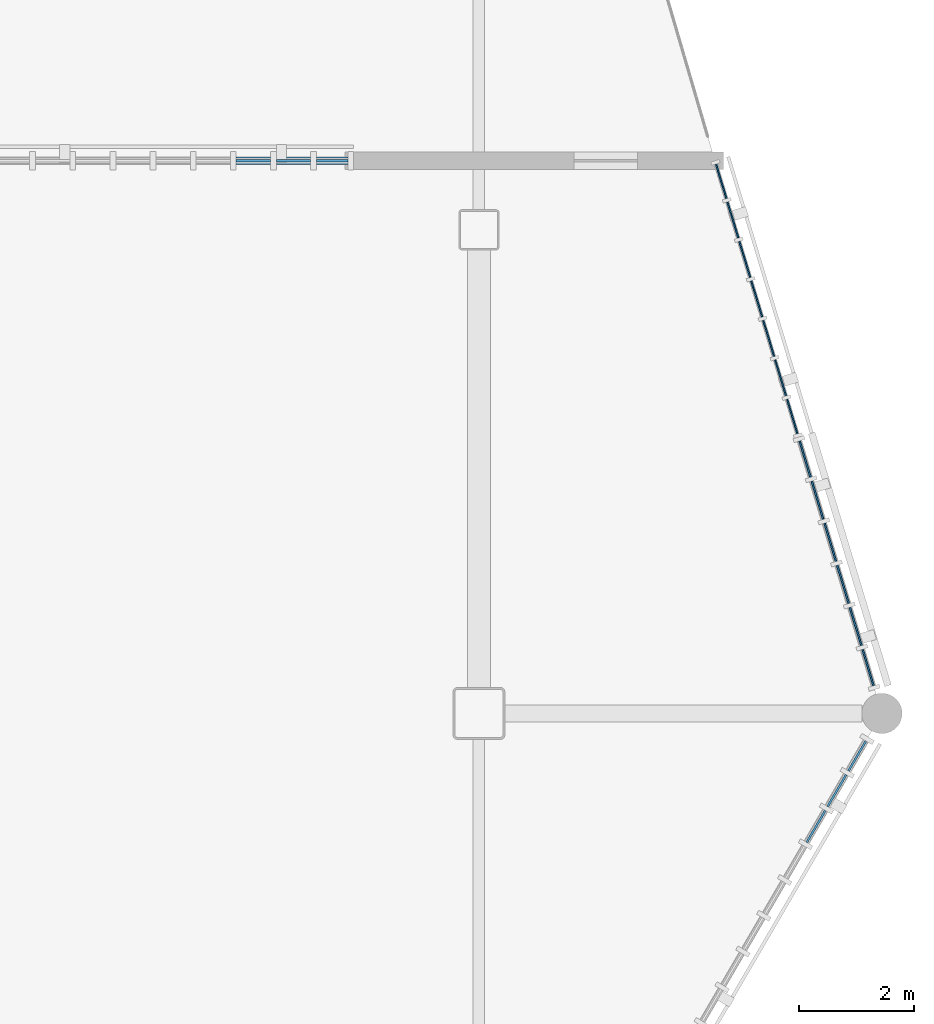
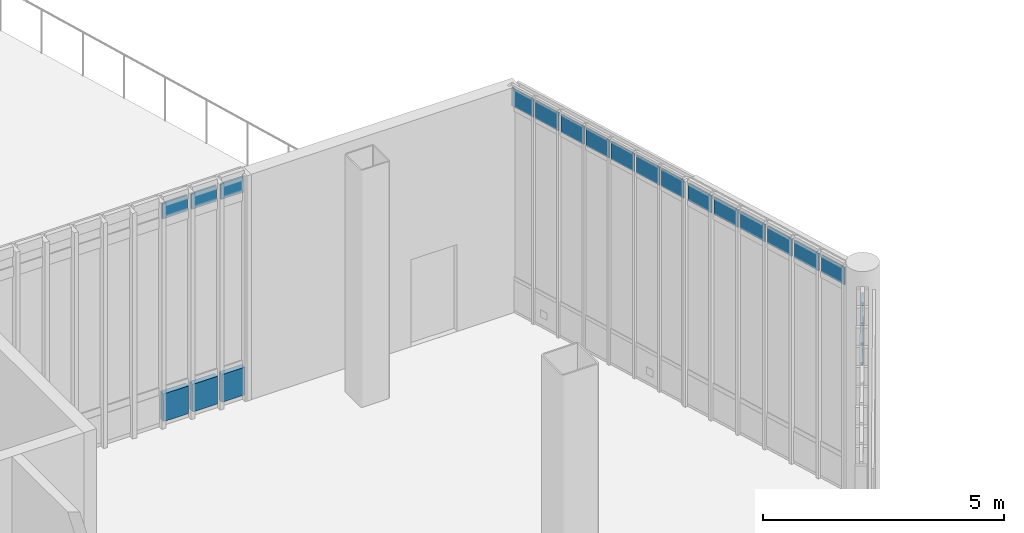
# One storey, part 105 of 135: 22 plates, 4 elements without a shape of their own.
"""IFC4 building model written with IfcOpenShell, lengths in metres."""

from ifc_helpers import new_model, si_unit, direction, frame, origin, origin_2d, place, context, subcontext, project, spatial, rectangle, extrude, material, layer, layer_set, type_object, element, aggregate, save


model = new_model("IFC4")

# Units and contexts
model_context = context("Model", 3, precision=1e-05, world=origin(), true_north=direction((0.0, 1.0)))
body_context = subcontext(model_context, "Body", "Model", "MODEL_VIEW")
ifc_project = project(units=[si_unit("LENGTHUNIT", "METRE"), si_unit("AREAUNIT", "SQUARE_METRE"), si_unit("VOLUMEUNIT", "CUBIC_METRE"), si_unit("PLANEANGLEUNIT", "RADIAN"), si_unit("MASSUNIT", "GRAM", prefix="KILO")], contexts=[model_context])

# Site, building, storey
site_placement = place(None, origin())
site = spatial("IfcSite", under=ifc_project, at=site_placement, CompositionType="ELEMENT")
building_placement = place(site_placement, origin())
building = spatial("IfcBuilding", under=site, at=building_placement, Name="Larkvane Passage Sports Hall", CompositionType="ELEMENT")
storey_placement = place(building_placement, frame((0.0, 0.0, 10.800048828125)))
storey = spatial("IfcBuildingStorey", under=building, at=storey_placement, Name="L02", CompositionType="ELEMENT", Elevation=10.800048828125)

# Curtain wall, plates
ifc_material_1 = material(Name="Thermally broken aluminium and low-E glazing", Category="aluminium")
curtain_wall_type_1 = type_object("IfcCurtainWallType", Name="CW-CLINIC", PredefinedType="USERDEFINED", material=ifc_material_1)
curtain_wall_1_placement = place(storey_placement, origin())
curtain_wall_1 = element("IfcCurtainWall", 1, at=curtain_wall_1_placement, inside=storey, type_object=curtain_wall_type_1, Name="Curtain wall CW5-L02-067", ObjectType="UNITISED CURTAIN WALL", PredefinedType="USERDEFINED")
ifc_material_2 = material(Name="Deep insulated facade spandrel panel")
ifc_layer_1 = layer(ifc_material_2, 0.125)
ifc_layer_set_1 = layer_set([ifc_layer_1], Name="Deep insulated facade spandrel panel")
plate_type_1 = type_object("IfcPlateType", Name="CWP-SPD-125", PredefinedType="CURTAIN_PANEL", material=ifc_layer_set_1)
plate_1_placement = place(storey_placement, frame((141.681884765625, 85.199951171875, 0.10009765625), z_axis=(0.0, 0.0, 1.0), x_axis=(1.0, 0.0, 0.0)))
plate_1 = element("IfcPlate", 2, at=plate_1_placement, type_object=plate_type_1, Name="CW-05 panel 7.1", PredefinedType="CURTAIN_PANEL", context=body_context, shape_type="SweptSolid", body=[
    extrude(rectangle(XDim=0.59716796875, YDim=0.125, at=origin_2d()), origin(), (0.0, 0.0, 1.0), 0.699951171875),
])
plate_2_placement = place(storey_placement, frame((142.379150390625, 85.199951171875, 0.10009765625), z_axis=(0.0, 0.0, 1.0), x_axis=(1.0, 0.0, 0.0)))
plate_2 = element("IfcPlate", 3, at=plate_2_placement, type_object=plate_type_1, Name="CW-05 panel 8.1", PredefinedType="CURTAIN_PANEL", context=body_context, shape_type="SweptSolid", body=[
    extrude(rectangle(XDim=0.59716796875, YDim=0.125, at=origin_2d()), origin(), (0.0, 0.0, 1.0), 0.699951171875),
])
plate_3_placement = place(storey_placement, frame((143.05126953125, 85.199951171875, 0.10009765625), z_axis=(0.0, 0.0, 1.0), x_axis=(1.0, 0.0, 0.0)))
plate_3 = element("IfcPlate", 4, at=plate_3_placement, type_object=plate_type_1, Name="CW-05 panel 9.1", PredefinedType="CURTAIN_PANEL", context=body_context, shape_type="SweptSolid", body=[
    extrude(rectangle(XDim=0.547119140625, YDim=0.125, at=origin_2d()), origin(), (0.0, 0.0, 1.0), 0.699951171875),
])

curtain_wall_type_2 = type_object("IfcCurtainWallType", Name="CW-UNIT-COURT", PredefinedType="USERDEFINED", material=ifc_material_1)
curtain_wall_2_placement = place(storey_placement, origin())
curtain_wall_2 = element("IfcCurtainWall", 5, at=curtain_wall_2_placement, inside=storey, type_object=curtain_wall_type_2, Name="Curtain wall CW5-L02-068", ObjectType="UNITISED CURTAIN WALL", PredefinedType="USERDEFINED")
ifc_material_3 = material(Name="Solar-control low-E double glazing", Category="glass")
ifc_layer_2 = layer(ifc_material_3, 0.028076171875)
ifc_layer_set_2 = layer_set([ifc_layer_2], Name="Solar-control low-E double glazing")
plate_type_2 = type_object("IfcPlateType", Name="CWP-VIS-28", PredefinedType="CURTAIN_PANEL", material=ifc_layer_set_2)
plate_4_placement = place(storey_placement, frame((149.807861328125, 84.8427734375, 5.179931640625), z_axis=(0.0, 0.0, 1.0), x_axis=(0.289177016584, -0.957275641119, 0.0)))
plate_4 = element("IfcPlate", 6, at=plate_4_placement, type_object=plate_type_2, Name="CW-01 panel 1.3", PredefinedType="CURTAIN_PANEL", context=body_context, shape_type="SweptSolid", body=[
    extrude(rectangle(XDim=0.626220703125, YDim=0.028076171875, at=origin_2d()), origin(), (0.0, 0.0, 1.0), 0.4599609375),
])
plate_5_placement = place(storey_placement, frame((150.0107421875, 84.17138671875, 5.179931640625), z_axis=(0.0, 0.0, 1.0), x_axis=(0.289177016584, -0.957275641119, 0.0)))
plate_5 = element("IfcPlate", 7, at=plate_5_placement, type_object=plate_type_2, Name="CW-01 panel 2.3", PredefinedType="CURTAIN_PANEL", context=body_context, shape_type="SweptSolid", body=[
    extrude(rectangle(XDim=0.65625, YDim=0.028076171875, at=origin_2d()), origin(), (0.0, 0.0, 1.0), 0.4599609375),
])
plate_6_placement = place(storey_placement, frame((150.2177734375, 83.485595703125, 5.179931640625), z_axis=(0.0, 0.0, 1.0), x_axis=(0.289177016584, -0.957275641119, 0.0)))
plate_6 = element("IfcPlate", 8, at=plate_6_placement, type_object=plate_type_2, Name="CW-01 panel 3.3", PredefinedType="CURTAIN_PANEL", context=body_context, shape_type="SweptSolid", body=[
    extrude(rectangle(XDim=0.65625, YDim=0.028076171875, at=origin_2d()), origin(), (0.0, 0.0, 1.0), 0.4599609375),
])
plate_7_placement = place(storey_placement, frame((150.425048828125, 82.800048828125, 5.179931640625), z_axis=(0.0, 0.0, 1.0), x_axis=(0.289177016584, -0.957275641119, 0.0)))
plate_7 = element("IfcPlate", 9, at=plate_7_placement, type_object=plate_type_2, Name="CW-01 panel 4.3", PredefinedType="CURTAIN_PANEL", context=body_context, shape_type="SweptSolid", body=[
    extrude(rectangle(XDim=0.65625, YDim=0.028076171875, at=origin_2d()), origin(), (0.0, 0.0, 1.0), 0.4599609375),
])
plate_8_placement = place(storey_placement, frame((150.632080078125, 82.1142578125, 5.179931640625), z_axis=(0.0, 0.0, 1.0), x_axis=(0.289177016584, -0.957275641119, 0.0)))
plate_8 = element("IfcPlate", 10, at=plate_8_placement, type_object=plate_type_2, Name="CW-01 panel 5.3", PredefinedType="CURTAIN_PANEL", context=body_context, shape_type="SweptSolid", body=[
    extrude(rectangle(XDim=0.65625, YDim=0.028076171875, at=origin_2d()), origin(), (0.0, 0.0, 1.0), 0.4599609375),
])
plate_9_placement = place(storey_placement, frame((150.83935546875, 81.428466796875, 5.179931640625), z_axis=(0.0, 0.0, 1.0), x_axis=(0.289177016584, -0.957275641119, 0.0)))
plate_9 = element("IfcPlate", 11, at=plate_9_placement, type_object=plate_type_2, Name="CW-01 panel 6.3", PredefinedType="CURTAIN_PANEL", context=body_context, shape_type="SweptSolid", body=[
    extrude(rectangle(XDim=0.65625, YDim=0.028076171875, at=origin_2d()), origin(), (0.0, 0.0, 1.0), 0.4599609375),
])
plate_10_placement = place(storey_placement, frame((151.0419921875, 80.75732421875, 5.179931640625), z_axis=(0.0, 0.0, 1.0), x_axis=(0.289177016584, -0.957275641119, 0.0)))
plate_10 = element("IfcPlate", 12, at=plate_10_placement, type_object=plate_type_2, Name="CW-01 panel 7.3", PredefinedType="CURTAIN_PANEL", context=body_context, shape_type="SweptSolid", body=[
    extrude(rectangle(XDim=0.626220703125, YDim=0.028076171875, at=origin_2d()), origin(), (0.0, 0.0, 1.0), 0.4599609375),
])
aggregate(curtain_wall_2, [plate_4, plate_5, plate_6, plate_7, plate_8, plate_9, plate_10])

curtain_wall_type_3 = type_object("IfcCurtainWallType", Name="CW-UNIT-VEIL", PredefinedType="USERDEFINED", material=ifc_material_1)
curtain_wall_3_placement = place(storey_placement, origin())
curtain_wall_3 = element("IfcCurtainWall", 13, at=curtain_wall_3_placement, inside=storey, type_object=curtain_wall_type_3, Name="Curtain wall CW5-L02-069", ObjectType="UNITISED CURTAIN WALL", PredefinedType="USERDEFINED")
ifc_material_4 = material(Name="Laminated acoustic low-E glazing", Category="glass")
ifc_layer_3 = layer(ifc_material_4, 0.031982421875)
ifc_layer_set_3 = layer_set([ifc_layer_3], Name="Laminated acoustic low-E glazing")
plate_type_3 = type_object("IfcPlateType", Name="CWP-VIS-32", PredefinedType="CURTAIN_PANEL", material=ifc_layer_set_3)
plate_11_placement = place(storey_placement, frame((151.265380859375, 80.017822265625, 5.18505859375), z_axis=(0.0, 0.0, 1.0), x_axis=(0.289177433255, -0.957275515249, 0.0)))
plate_11 = element("IfcPlate", 14, at=plate_11_placement, type_object=plate_type_3, Name="CW-02 panel 1.3", PredefinedType="CURTAIN_PANEL", context=body_context, shape_type="SweptSolid", body=[
    extrude(rectangle(XDim=0.65869140625, YDim=0.031982421875, at=origin_2d()), origin(), (0.0, 0.0, 1.0), 0.445068359375),
])
plate_12_placement = place(storey_placement, frame((151.481201171875, 79.303466796875, 5.18505859375), z_axis=(0.0, 0.0, 1.0), x_axis=(0.289177433255, -0.957275515249, 0.0)))
plate_12 = element("IfcPlate", 15, at=plate_12_placement, type_object=plate_type_3, Name="CW-02 panel 2.3", PredefinedType="CURTAIN_PANEL", context=body_context, shape_type="SweptSolid", body=[
    extrude(rectangle(XDim=0.693603515625, YDim=0.031982421875, at=origin_2d()), origin(), (0.0, 0.0, 1.0), 0.445068359375),
])
plate_13_placement = place(storey_placement, frame((151.7021484375, 78.572509765625, 5.18505859375), z_axis=(0.0, 0.0, 1.0), x_axis=(0.289177433255, -0.957275515249, 0.0)))
plate_13 = element("IfcPlate", 16, at=plate_13_placement, type_object=plate_type_3, Name="CW-02 panel 3.3", PredefinedType="CURTAIN_PANEL", context=body_context, shape_type="SweptSolid", body=[
    extrude(rectangle(XDim=0.693603515625, YDim=0.031982421875, at=origin_2d()), origin(), (0.0, 0.0, 1.0), 0.445068359375),
])
plate_14_placement = place(storey_placement, frame((151.9228515625, 77.84130859375, 5.18505859375), z_axis=(0.0, 0.0, 1.0), x_axis=(0.289177433255, -0.957275515249, 0.0)))
plate_14 = element("IfcPlate", 17, at=plate_14_placement, type_object=plate_type_3, Name="CW-02 panel 4.3", PredefinedType="CURTAIN_PANEL", context=body_context, shape_type="SweptSolid", body=[
    extrude(rectangle(XDim=0.693603515625, YDim=0.031982421875, at=origin_2d()), origin(), (0.0, 0.0, 1.0), 0.445068359375),
])
plate_15_placement = place(storey_placement, frame((152.143798828125, 77.1103515625, 5.18505859375), z_axis=(0.0, 0.0, 1.0), x_axis=(0.289177433255, -0.957275515249, 0.0)))
plate_15 = element("IfcPlate", 18, at=plate_15_placement, type_object=plate_type_3, Name="CW-02 panel 5.3", PredefinedType="CURTAIN_PANEL", context=body_context, shape_type="SweptSolid", body=[
    extrude(rectangle(XDim=0.693603515625, YDim=0.031982421875, at=origin_2d()), origin(), (0.0, 0.0, 1.0), 0.445068359375),
])
plate_16_placement = place(storey_placement, frame((152.359619140625, 76.39599609375, 5.18505859375), z_axis=(0.0, 0.0, 1.0), x_axis=(0.289177433255, -0.957275515249, 0.0)))
plate_16 = element("IfcPlate", 19, at=plate_16_placement, type_object=plate_type_3, Name="CW-02 panel 6.3", PredefinedType="CURTAIN_PANEL", context=body_context, shape_type="SweptSolid", body=[
    extrude(rectangle(XDim=0.65869140625, YDim=0.031982421875, at=origin_2d()), origin(), (0.0, 0.0, 1.0), 0.445068359375),
])
aggregate(curtain_wall_3, [plate_11, plate_12, plate_13, plate_14, plate_15, plate_16])

curtain_wall_type_4 = type_object("IfcCurtainWallType", Name="CW-STICK-FOYER", PredefinedType="USERDEFINED", material=ifc_material_1)
curtain_wall_4_placement = place(storey_placement, origin())
curtain_wall_4 = element("IfcCurtainWall", 20, at=curtain_wall_4_placement, inside=storey, type_object=curtain_wall_type_4, Name="Curtain wall CW5-L02-070", ObjectType="STICK CURTAIN WALL", PredefinedType="USERDEFINED")
ifc_material_5 = material(Name="High-impact court low-E glazing", Category="glass")
ifc_layer_4 = layer(ifc_material_5, 0.035888671875)
ifc_layer_set_4 = layer_set([ifc_layer_4], Name="High-impact court low-E glazing")
plate_type_4 = type_object("IfcPlateType", Name="CWP-VIS-36", PredefinedType="CURTAIN_PANEL", material=ifc_layer_set_4)
plate_17_placement = place(storey_placement, frame((152.169677734375, 74.862060546875, 5.18994140625), z_axis=(0.0, 0.0, 1.0), x_axis=(-0.503867182467, -0.86378114267, 0.0)))
plate_17 = element("IfcPlate", 21, at=plate_17_placement, type_object=plate_type_4, Name="CW-03 panel 1.3", PredefinedType="CURTAIN_PANEL", context=body_context, shape_type="SweptSolid", body=[
    extrude(rectangle(XDim=0.59912109375, YDim=0.035888671875, at=origin_2d()), origin(), (0.0, 0.0, 1.0), 0.429931640625),
])
plate_18_placement = place(storey_placement, frame((151.8173828125, 74.25830078125, 5.18994140625), z_axis=(0.0, 0.0, 1.0), x_axis=(-0.503867182467, -0.86378114267, 0.0)))
plate_18 = element("IfcPlate", 22, at=plate_18_placement, type_object=plate_type_4, Name="CW-03 panel 2.3", PredefinedType="CURTAIN_PANEL", context=body_context, shape_type="SweptSolid", body=[
    extrude(rectangle(XDim=0.63916015625, YDim=0.035888671875, at=origin_2d()), origin(), (0.0, 0.0, 1.0), 0.429931640625),
])
plate_19_placement = place(storey_placement, frame((151.455078125, 73.63720703125, 5.18994140625), z_axis=(0.0, 0.0, 1.0), x_axis=(-0.503867182467, -0.86378114267, 0.0)))
plate_19 = element("IfcPlate", 23, at=plate_19_placement, type_object=plate_type_4, Name="CW-03 panel 3.3", PredefinedType="CURTAIN_PANEL", context=body_context, shape_type="SweptSolid", body=[
    extrude(rectangle(XDim=0.63916015625, YDim=0.035888671875, at=origin_2d()), origin(), (0.0, 0.0, 1.0), 0.429931640625),
])
aggregate(curtain_wall_4, [plate_17, plate_18, plate_19])

# Plate
ifc_material_6 = material(Name="Triple-laminated typhoon glazing", Category="glass")
ifc_layer_5 = layer(ifc_material_6, 0.0419921875)
ifc_layer_set_5 = layer_set([ifc_layer_5], Name="Triple-laminated typhoon glazing")
plate_type_5 = type_object("IfcPlateType", Name="CWP-VIS-42", PredefinedType="CURTAIN_PANEL", material=ifc_layer_set_5)
plate_20_placement = place(storey_placement, frame((141.681884765625, 85.199951171875, 5.199951171875), z_axis=(0.0, 0.0, 1.0), x_axis=(1.0, 0.0, 0.0)))
plate_20 = element("IfcPlate", 24, at=plate_20_placement, type_object=plate_type_5, Name="CW-05 panel 7.3", PredefinedType="CURTAIN_PANEL", context=body_context, shape_type="SweptSolid", body=[
    extrude(rectangle(XDim=0.59716796875, YDim=0.0419921875, at=origin_2d()), origin(), (0.0, 0.0, 1.0), 0.39990234375),
])

plate_21_placement = place(storey_placement, frame((142.379150390625, 85.199951171875, 5.199951171875), z_axis=(0.0, 0.0, 1.0), x_axis=(1.0, 0.0, 0.0)))
plate_21 = element("IfcPlate", 25, at=plate_21_placement, type_object=plate_type_5, Name="CW-05 panel 8.3", PredefinedType="CURTAIN_PANEL", context=body_context, shape_type="SweptSolid", body=[
    extrude(rectangle(XDim=0.59716796875, YDim=0.0419921875, at=origin_2d()), origin(), (0.0, 0.0, 1.0), 0.39990234375),
])

plate_22_placement = place(storey_placement, frame((143.05126953125, 85.199951171875, 5.199951171875), z_axis=(0.0, 0.0, 1.0), x_axis=(1.0, 0.0, 0.0)))
plate_22 = element("IfcPlate", 26, at=plate_22_placement, type_object=plate_type_5, Name="CW-05 panel 9.3", PredefinedType="CURTAIN_PANEL", context=body_context, shape_type="SweptSolid", body=[
    extrude(rectangle(XDim=0.547119140625, YDim=0.0419921875, at=origin_2d()), origin(), (0.0, 0.0, 1.0), 0.39990234375),
])

aggregate(curtain_wall_1, [plate_1, plate_20, plate_2, plate_21, plate_3, plate_22])

save(model, "model.ifc")
